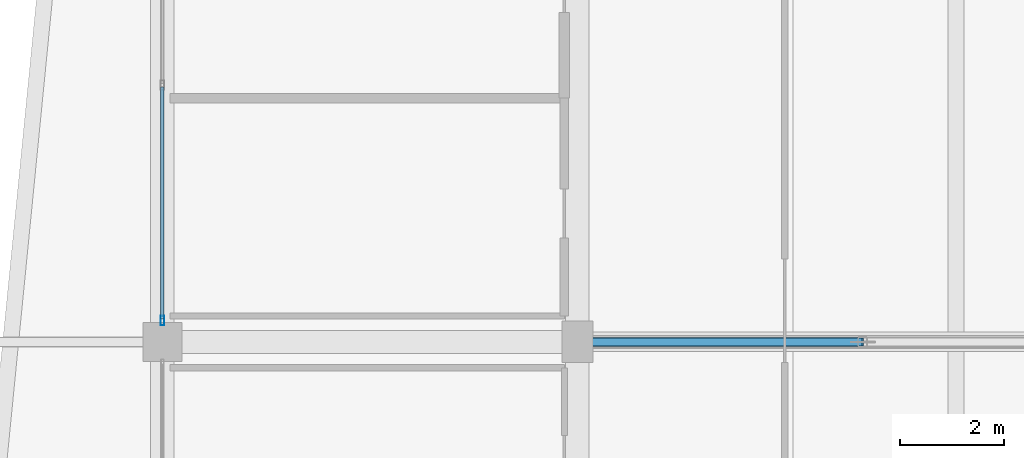
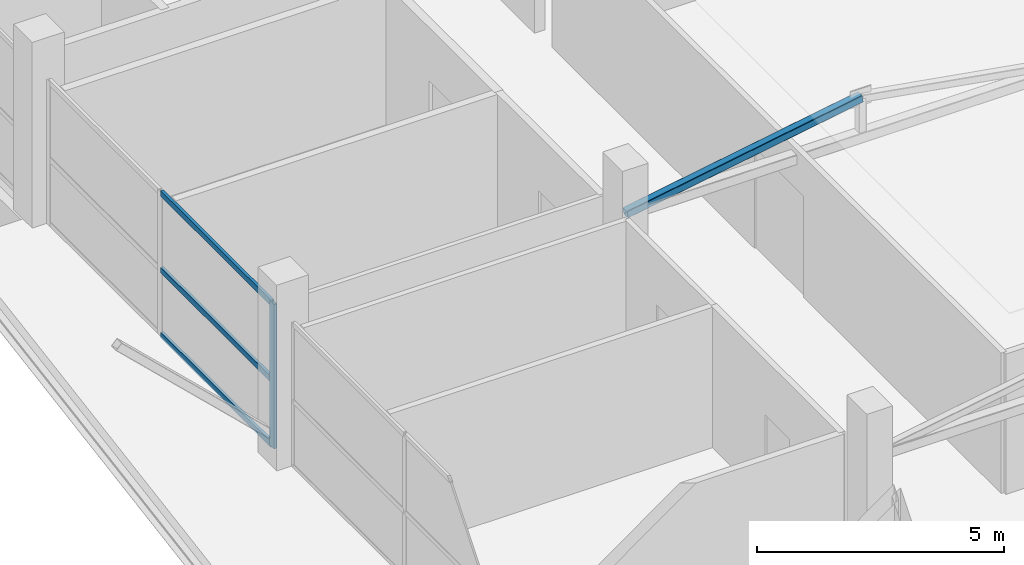
# One storey, part 18 of 58: 5 members, 1 element without a shape of its own.
"""IFC4 building model written with IfcOpenShell, lengths in metres."""

from ifc_helpers import new_model, si_unit, direction, frame, origin, origin_2d, place, context, subcontext, project, spatial, hollow_rectangle, extrude, material, layer, layer_set, material_profile, profile_set, type_object, element, aggregate, save


model = new_model("IFC4")

# Units and contexts
model_context = context("Model", 3, precision=1e-05, world=origin(), true_north=direction((0.0, 1.0)))
body_context = subcontext(model_context, "Body", "Model", "MODEL_VIEW")
ifc_project = project(units=[si_unit("LENGTHUNIT", "METRE"), si_unit("AREAUNIT", "SQUARE_METRE"), si_unit("VOLUMEUNIT", "CUBIC_METRE"), si_unit("PLANEANGLEUNIT", "RADIAN"), si_unit("MASSUNIT", "GRAM", prefix="KILO")], contexts=[model_context])

# Site, building, storey
site_placement = place(None, origin())
site = spatial("IfcSite", under=ifc_project, at=site_placement, CompositionType="ELEMENT")
building_placement = place(site_placement, origin())
building = spatial("IfcBuilding", under=site, at=building_placement, Name="Sillaruma Civic Art Gallery", CompositionType="ELEMENT")
storey_placement = place(building_placement, frame((0.0, 0.0, 28.56005859375)))
storey = spatial("IfcBuildingStorey", under=building, at=storey_placement, Name="L05", CompositionType="ELEMENT", Elevation=28.56005859375)

# Member
ifc_material_1 = material(Name="Structural Steel ASTM A500 Gr.C", Category="steel")
ifc_material_profile_1 = material_profile(ifc_material_1, hollow_rectangle(XDim=0.179931640625, YDim=0.179931640625, WallThickness=0.010009765625, InnerFilletRadius=0.010009765625, OuterFilletRadius=0.02001953125, at=origin_2d()), Name="HSS180x180x10")
ifc_profile_set_1 = profile_set([ifc_material_profile_1], Name="Structural Steel ASTM A500 Gr.C")
member_type_1 = type_object("IfcMemberType", Name="MEM-BRACE-HSS180x180x10", PredefinedType="BRACE", material=ifc_profile_set_1)
member_1_placement = place(storey_placement, frame((70.0, 59.39990234375, 3.224853515625), z_axis=(0.985614551455, 0.0, 0.169008745218), x_axis=(0.0, 1.0, 0.0)))
element("IfcMember", 1, at=member_1_placement, inside=storey, type_object=member_type_1, Name="Warren Truss Diagonal TR-L05-2-D1", PredefinedType="BRACE", context=body_context, shape_type="SweptSolid", body=[
    extrude(hollow_rectangle(XDim=0.179931640625, YDim=0.179931640625, WallThickness=0.010009765625, InnerFilletRadius=0.010009765625, OuterFilletRadius=0.02001953125, at=origin_2d()), origin(), (0.0, 0.0, 1.0), 5.580322265625),
])

# Curtain wall, members
ifc_material_2 = material(Name="Thermally Broken Extruded Aluminium 6063-T6", Category="aluminium")
ifc_layer = layer(ifc_material_2, 0.179931640625, Name="Thermally Broken Extruded Aluminium 6063-T6")
ifc_layer_set = layer_set([ifc_layer], Name="Thermally Broken Extruded Aluminium 6063-T6")
curtain_wall_type = type_object("IfcCurtainWallType", Name="CW-UNI-33", PredefinedType="NOTDEFINED", material=ifc_layer_set)
curtain_wall_placement = place(storey_placement, origin())
curtain_wall = element("IfcCurtainWall", 2, at=curtain_wall_placement, inside=storey, type_object=curtain_wall_type, Name="Unitised Curtain Wall CW-33 (CW-L05-W-5)", PredefinedType="NOTDEFINED")
ifc_material_profile_2 = material_profile(ifc_material_2, hollow_rectangle(XDim=0.070068359375, YDim=0.179931640625, WallThickness=0.00390625, at=origin_2d()), Name="CWM70x180")
ifc_profile_set_2 = profile_set([ifc_material_profile_2], Name="Thermally Broken Extruded Aluminium 6063-T6")
member_type_2 = type_object("IfcMemberType", Name="MEM-MUL-CWM70x180", PredefinedType="MULLION", material=ifc_profile_set_2)
member_2_placement = place(storey_placement, frame((62.0, 59.81005859375, 0.0), z_axis=(0.0, 0.0, 1.0), x_axis=(-1.0, 0.0, 0.0)))
member_2 = element("IfcMember", 3, at=member_2_placement, type_object=member_type_2, Name="CW-33 mullion 1", PredefinedType="MULLION", context=body_context, shape_type="SweptSolid", body=[
    extrude(hollow_rectangle(XDim=0.070068359375, YDim=0.179931640625, WallThickness=0.00390625, at=origin_2d()), origin(), (0.0, 0.0, 1.0), 3.56982421875),
])
ifc_material_profile_3 = material_profile(ifc_material_2, hollow_rectangle(XDim=0.070068359375, YDim=0.139892578125, WallThickness=0.00390625, at=origin_2d()), Name="CWT70x140")
ifc_profile_set_3 = profile_set([ifc_material_profile_3], Name="Thermally Broken Extruded Aluminium 6063-T6")
member_type_3 = type_object("IfcMemberType", Name="MEM-TRN-CWT70x140", PredefinedType="USERDEFINED", material=ifc_profile_set_3)
member_3_placement = place(storey_placement, frame((62.0, 59.844970703125, 0.034912109375), z_axis=(0.0, 1.0, 0.0), x_axis=(-1.0, 0.0, 0.0)))
member_3 = element("IfcMember", 4, at=member_3_placement, type_object=member_type_3, Name="CW-33 transom 1.1", ObjectType="TRANSOM", PredefinedType="USERDEFINED", context=body_context, shape_type="SweptSolid", body=[
    extrude(hollow_rectangle(XDim=0.070068359375, YDim=0.139892578125, WallThickness=0.00390625, at=origin_2d()), origin(), (0.0, 0.0, 1.0), 4.469970703125),
])
member_4_placement = place(storey_placement, frame((62.0, 59.844970703125, 1.64208984375), z_axis=(0.0, 1.0, 0.0), x_axis=(-1.0, 0.0, 0.0)))
member_4 = element("IfcMember", 5, at=member_4_placement, type_object=member_type_3, Name="CW-33 transom 1.2", ObjectType="TRANSOM", PredefinedType="USERDEFINED", context=body_context, shape_type="SweptSolid", body=[
    extrude(hollow_rectangle(XDim=0.070068359375, YDim=0.139892578125, WallThickness=0.00390625, at=origin_2d()), origin(), (0.0, 0.0, 1.0), 4.469970703125),
])
member_5_placement = place(storey_placement, frame((62.0, 59.844970703125, 3.534912109375), z_axis=(0.0, 1.0, 0.0), x_axis=(-1.0, 0.0, 0.0)))
member_5 = element("IfcMember", 6, at=member_5_placement, type_object=member_type_3, Name="CW-33 transom 1.3", ObjectType="TRANSOM", PredefinedType="USERDEFINED", context=body_context, shape_type="SweptSolid", body=[
    extrude(hollow_rectangle(XDim=0.070068359375, YDim=0.139892578125, WallThickness=0.00390625, at=origin_2d()), origin(), (0.0, 0.0, 1.0), 4.469970703125),
])
aggregate(curtain_wall, [member_2, member_3, member_4, member_5])

save(model, "model.ifc")
